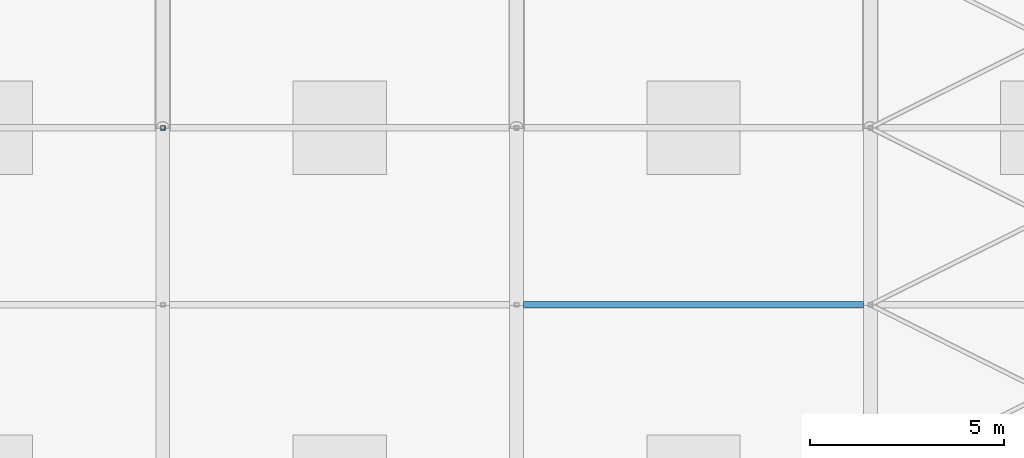
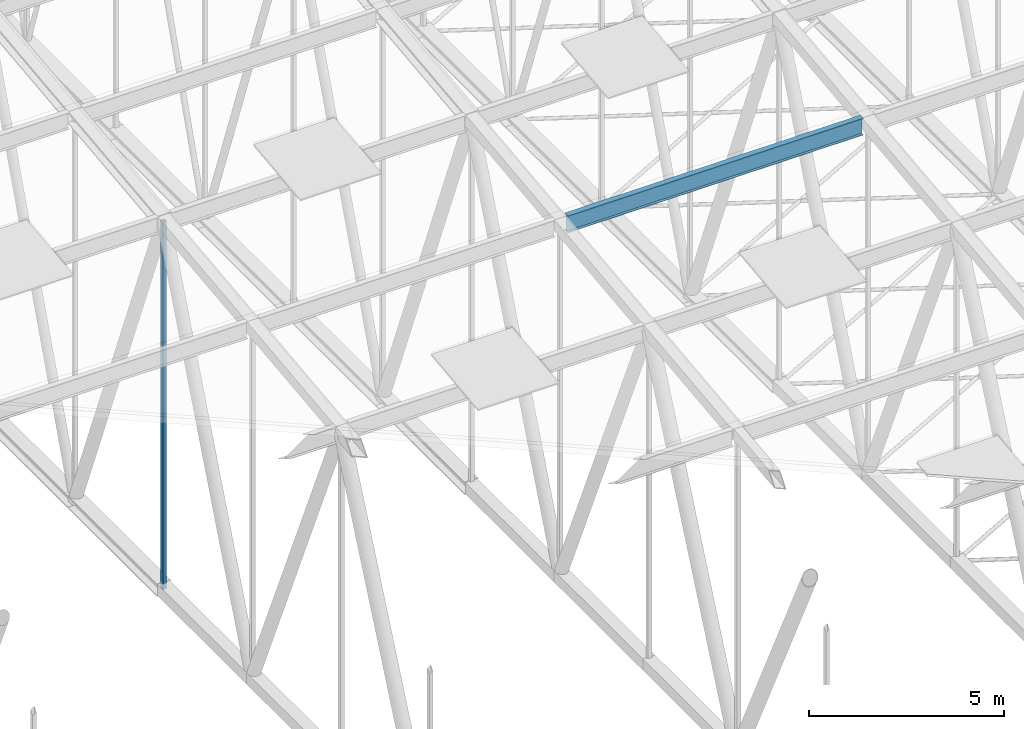
# One storey, part 133 of 500: 2 members.
"""IFC4 building model written with IfcOpenShell, lengths in metres."""

from ifc_helpers import new_model, si_unit, direction, frame, origin, origin_2d, place, context, subcontext, project, spatial, hollow_rectangle, i_section, extrude, material, material_profile, profile_set, type_object, element, save


model = new_model("IFC4")

# Units and contexts
model_context = context("Model", 3, precision=1e-05, world=origin(), true_north=direction((0.0, 1.0)))
body_context = subcontext(model_context, "Body", "Model", "MODEL_VIEW")
ifc_project = project(units=[si_unit("LENGTHUNIT", "METRE"), si_unit("AREAUNIT", "SQUARE_METRE"), si_unit("VOLUMEUNIT", "CUBIC_METRE"), si_unit("PLANEANGLEUNIT", "RADIAN"), si_unit("MASSUNIT", "GRAM", prefix="KILO")], contexts=[model_context])

# Site, building, storey
site_placement = place(None, origin())
site = spatial("IfcSite", under=ifc_project, at=site_placement, CompositionType="ELEMENT")
building_placement = place(site_placement, origin())
building = spatial("IfcBuilding", under=site, at=building_placement, Name="Shirokan Park Arena", CompositionType="ELEMENT")
storey_placement = place(building_placement, frame((0.0, 0.0, 29.1201171875)))
storey = spatial("IfcBuildingStorey", under=building, at=storey_placement, Name="L06", CompositionType="ELEMENT", Elevation=29.1201171875)

# Members
ifc_material_1 = material(Name="Steel ASTM A992", Category="steel")
ifc_material_profile_1 = material_profile(ifc_material_1, i_section(OverallWidth=0.166015625, OverallDepth=0.528076171875, WebThickness=0.009765625, FlangeThickness=0.013671875, at=origin_2d()), Name="W530X74")
ifc_profile_set_1 = profile_set([ifc_material_profile_1], Name="Steel ASTM A992")
member_type_1 = type_object("IfcMemberType", Name="Purlin W530X74", PredefinedType="PURLIN", material=ifc_profile_set_1)
member_1_placement = place(storey_placement, frame((82.077880859375, 27.300048828125, 15.60595703125), z_axis=(1.0, 0.0, 0.0), x_axis=(0.0, 1.0, 0.0)))
element("IfcMember", 1, at=member_1_placement, inside=storey, type_object=member_type_1, Name="Purlin 9 bay 10", PredefinedType="PURLIN", context=body_context, shape_type="SweptSolid", body=[
    extrude(i_section(OverallWidth=0.166015625, OverallDepth=0.528076171875, WebThickness=0.009765625, FlangeThickness=0.013671875, at=origin_2d()), origin(), (0.0, 0.0, 1.0), 8.744140625),
])
ifc_material_2 = material(Name="Steel ASTM A500 Grade C", Category="steel")
ifc_material_profile_2 = material_profile(ifc_material_2, hollow_rectangle(XDim=0.114013671875, YDim=0.114013671875, WallThickness=0.00634765625, at=origin_2d()), Name="HSS114.3X114.3X6.4")
ifc_profile_set_2 = profile_set([ifc_material_profile_2], Name="Steel ASTM A500 Grade C")
member_type_2 = type_object("IfcMemberType", Name="Truss post HSS114.3X114.3X6.4", PredefinedType="POST", material=ifc_profile_set_2)
member_2_placement = place(storey_placement, frame((72.800048828125, 31.85009765625, 4.677001953125), z_axis=(0.0, 0.0, 1.0), x_axis=(1.0, 0.0, 0.0)))
element("IfcMember", 2, at=member_2_placement, inside=storey, type_object=member_type_2, Name="Truss T09 post 10", PredefinedType="POST", context=body_context, shape_type="SweptSolid", body=[
    extrude(hollow_rectangle(XDim=0.114013671875, YDim=0.114013671875, WallThickness=0.00634765625, at=origin_2d()), origin(), (0.0, 0.0, 1.0), 11.50439453125),
])

save(model, "model.ifc")
